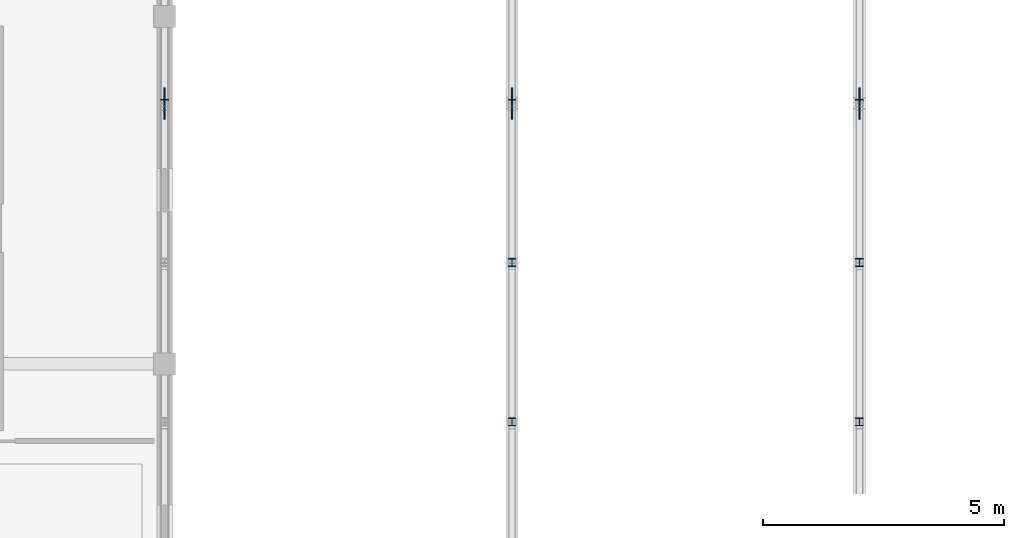
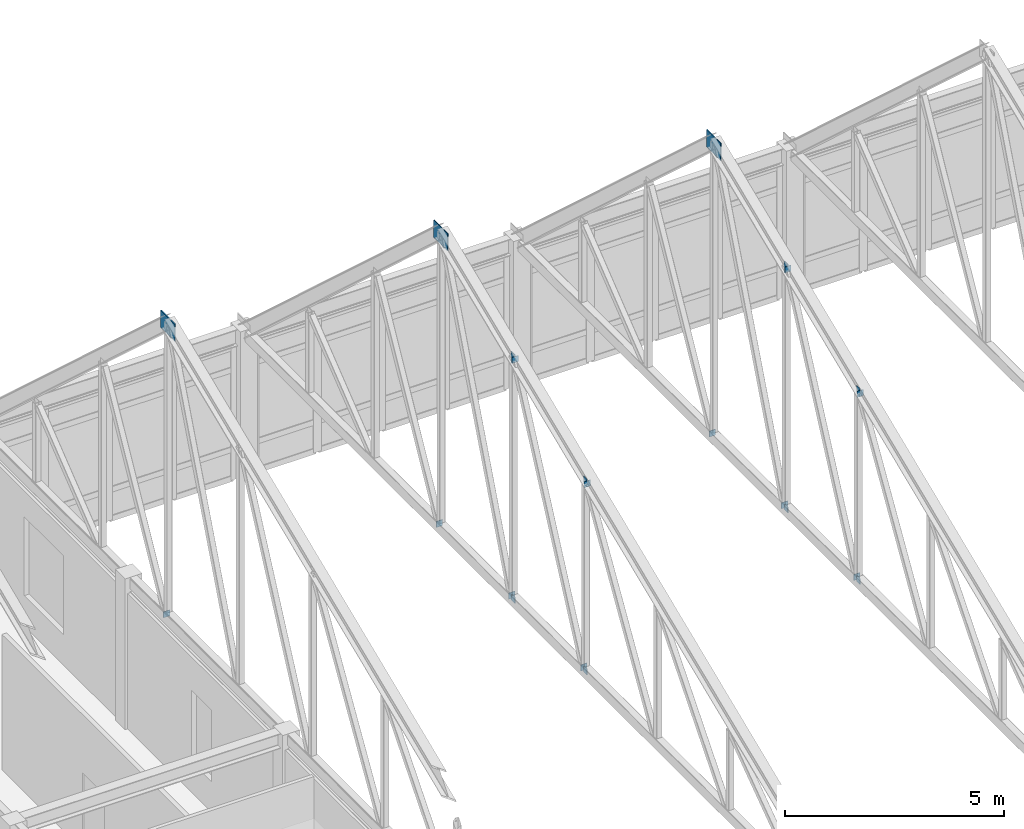
# One storey, part 100 of 136: 22 plates.
"""IFC4 building model written with IfcOpenShell, lengths in metres."""

from ifc_helpers import new_model, si_unit, direction, frame, origin, origin_2d, place, context, subcontext, project, spatial, rectangle, extrude, material, layer, layer_set, type_object, element, save


model = new_model("IFC4")

# Units and contexts
model_context = context("Model", 3, precision=1e-05, world=origin(), true_north=direction((0.0, 1.0)))
body_context = subcontext(model_context, "Body", "Model", "MODEL_VIEW")
ifc_project = project(units=[si_unit("LENGTHUNIT", "METRE"), si_unit("AREAUNIT", "SQUARE_METRE"), si_unit("VOLUMEUNIT", "CUBIC_METRE"), si_unit("PLANEANGLEUNIT", "RADIAN"), si_unit("MASSUNIT", "GRAM", prefix="KILO")], contexts=[model_context])

# Site, building, storey
site_placement = place(None, origin())
site = spatial("IfcSite", under=ifc_project, at=site_placement, CompositionType="ELEMENT")
building_placement = place(site_placement, origin())
building = spatial("IfcBuilding", under=site, at=building_placement, Name="Koriwan Promenade Central Fire Station", CompositionType="ELEMENT")
storey_placement = place(building_placement, frame((0.0, 0.0, 5.39990234375)))
storey = spatial("IfcBuildingStorey", under=building, at=storey_placement, Name="L01", CompositionType="ELEMENT", Elevation=5.39990234375)

# Plates
ifc_material = material(Name="Steel ASTM A572 Grade 50", Category="steel")
ifc_layer_1 = layer(ifc_material, 0.01611328125, Name="Steel ASTM A572 Grade 50")
ifc_layer_set_1 = layer_set([ifc_layer_1], Name="Steel ASTM A572 Grade 50")
plate_type_1 = type_object("IfcPlateType", Name="EndCap_HSS150", PredefinedType="SHEET", material=ifc_layer_set_1)
for number, where, z_axis, x_axis, name in (
    (1, (64.800048828125, 63.076171875, 3.98046875), (0.0, 0.0, 1.0), (0.0, 1.0, 0.0), "TR_V1_02 web diagonal 7 end cap 1"),
    (2, (72.0, 56.39990234375, 3.9296875), (0.0, 0.0, 1.0), (1.0, 0.0, 0.0), "TR_V1_03 vertical 4 end cap 1"),
    (3, (72.0, 56.39990234375, 9.232666015625), (0.0, 0.0, 1.0), (1.0, 0.0, 0.0), "TR_V1_03 vertical 4 end cap 2"),
    (4, (72.0, 59.699951171875, 3.9296875), (0.0, 0.0, 1.0), (1.0, 0.0, 0.0), "TR_V1_03 vertical 5 end cap 1"),
    (5, (72.0, 59.699951171875, 10.69921875), (0.0, 0.0, 1.0), (1.0, 0.0, 0.0), "TR_V1_03 vertical 5 end cap 2"),
    (6, (72.0, 56.32421875, 9.181396484375), (0.0, 0.0, 1.0), (0.0, 1.0, 0.0), "TR_V1_03 web diagonal 4 end cap 2"),
    (7, (72.0, 56.4765625, 3.98046875), (0.0, 0.0, 1.0), (0.0, 1.0, 0.0), "TR_V1_03 web diagonal 5 end cap 1"),
    (8, (72.0, 59.623291015625, 10.6484375), (0.0, 0.0, 1.0), (0.0, 1.0, 0.0), "TR_V1_03 web diagonal 5 end cap 2"),
    (9, (72.0, 59.777099609375, 3.97998046875), (0.0, 0.0, 1.0), (0.0, 1.0, 0.0), "TR_V1_03 web diagonal 6 end cap 1"),
    (10, (72.0, 63.076171875, 3.98046875), (0.0, 0.0, 1.0), (0.0, 1.0, 0.0), "TR_V1_03 web diagonal 7 end cap 1"),
    (11, (79.199951171875, 56.39990234375, 3.9296875), (0.0, 0.0, 1.0), (1.0, 0.0, 0.0), "TR_V1_04 vertical 4 end cap 1"),
    (12, (79.199951171875, 56.39990234375, 9.232666015625), (0.0, 0.0, 1.0), (1.0, 0.0, 0.0), "TR_V1_04 vertical 4 end cap 2"),
    (13, (79.199951171875, 59.699951171875, 3.9296875), (0.0, 0.0, 1.0), (1.0, 0.0, 0.0), "TR_V1_04 vertical 5 end cap 1"),
    (14, (79.199951171875, 59.699951171875, 10.69921875), (0.0, 0.0, 1.0), (1.0, 0.0, 0.0), "TR_V1_04 vertical 5 end cap 2"),
    (15, (79.199951171875, 56.32421875, 9.181396484375), (0.0, 0.0, 1.0), (0.0, 1.0, 0.0), "TR_V1_04 web diagonal 4 end cap 2"),
    (16, (79.199951171875, 56.4765625, 3.98046875), (0.0, 0.0, 1.0), (0.0, 1.0, 0.0), "TR_V1_04 web diagonal 5 end cap 1"),
    (17, (79.199951171875, 59.623291015625, 10.6484375), (0.0, 0.0, 1.0), (0.0, 1.0, 0.0), "TR_V1_04 web diagonal 5 end cap 2"),
    (18, (79.199951171875, 59.777099609375, 3.97998046875), (0.0, 0.0, 1.0), (0.0, 1.0, 0.0), "TR_V1_04 web diagonal 6 end cap 1"),
    (19, (79.199951171875, 63.076171875, 3.98046875), (0.0, 0.0, 1.0), (0.0, 1.0, 0.0), "TR_V1_04 web diagonal 7 end cap 1"),
):
    element("IfcPlate", number, at=place(storey_placement, frame(where, z_axis=z_axis, x_axis=x_axis)), inside=storey, type_object=plate_type_1, Name=name, PredefinedType="SHEET", context=body_context, shape_type="SweptSolid", body=[
        extrude(rectangle(XDim=0.01611328125, YDim=0.1650390625, at=origin_2d()), origin(), (0.0, 0.0, 1.0), 0.1650390625),
    ])
ifc_layer_2 = layer(ifc_material, 0.47998046875, Name="Steel ASTM A572 Grade 50")
ifc_layer_set_2 = layer_set([ifc_layer_2], Name="Steel ASTM A572 Grade 50")
plate_type_2 = type_object("IfcPlateType", Name="NodeGusset_Ridge", PredefinedType="SHEET", material=ifc_layer_set_2)
for number, where, z_axis, x_axis, name in (
    (20, (64.800048828125, 63.0, 11.900390625), (0.0, 0.0, 1.0), (1.0, 0.0, 0.0), "TR_V1_02 ridge node gusset TN-R1"),
    (21, (72.0, 63.0, 11.900390625), (0.0, 0.0, 1.0), (1.0, 0.0, 0.0), "TR_V1_03 ridge node gusset TN-R1"),
    (22, (79.199951171875, 63.0, 11.900390625), (0.0, 0.0, 1.0), (1.0, 0.0, 0.0), "TR_V1_04 ridge node gusset TN-R1"),
):
    element("IfcPlate", number, at=place(storey_placement, frame(where, z_axis=z_axis, x_axis=x_axis)), inside=storey, type_object=plate_type_2, Name=name, PredefinedType="SHEET", context=body_context, shape_type="SweptSolid", body=[
        extrude(rectangle(XDim=0.02392578125, YDim=0.64990234375, at=origin_2d()), origin(), (0.0, 0.0, 1.0), 0.47998046875),
    ])

save(model, "model.ifc")
